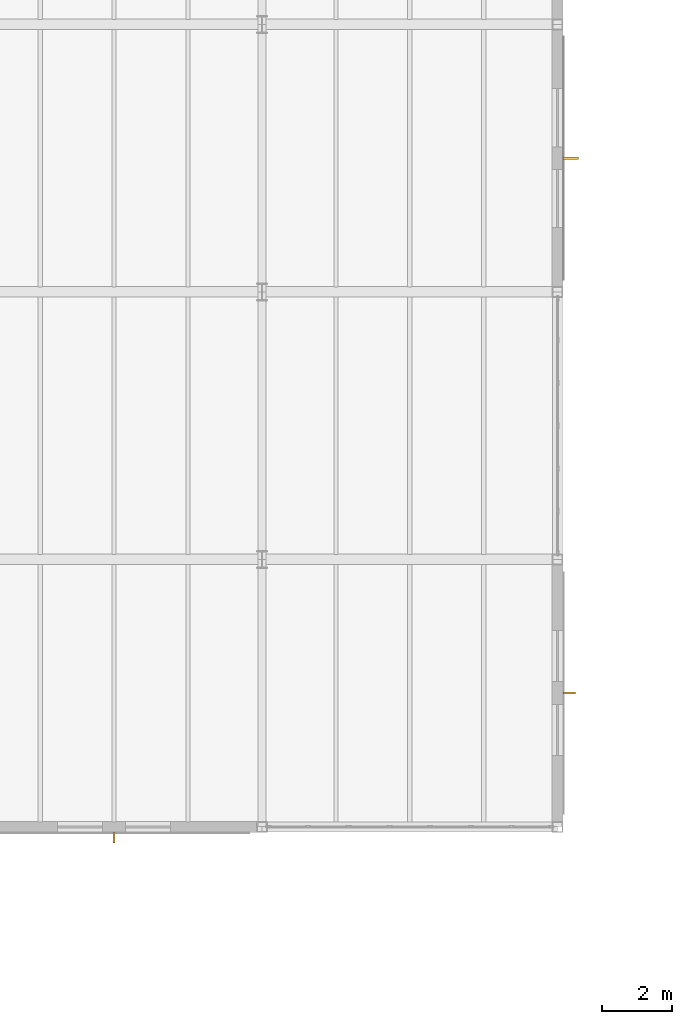
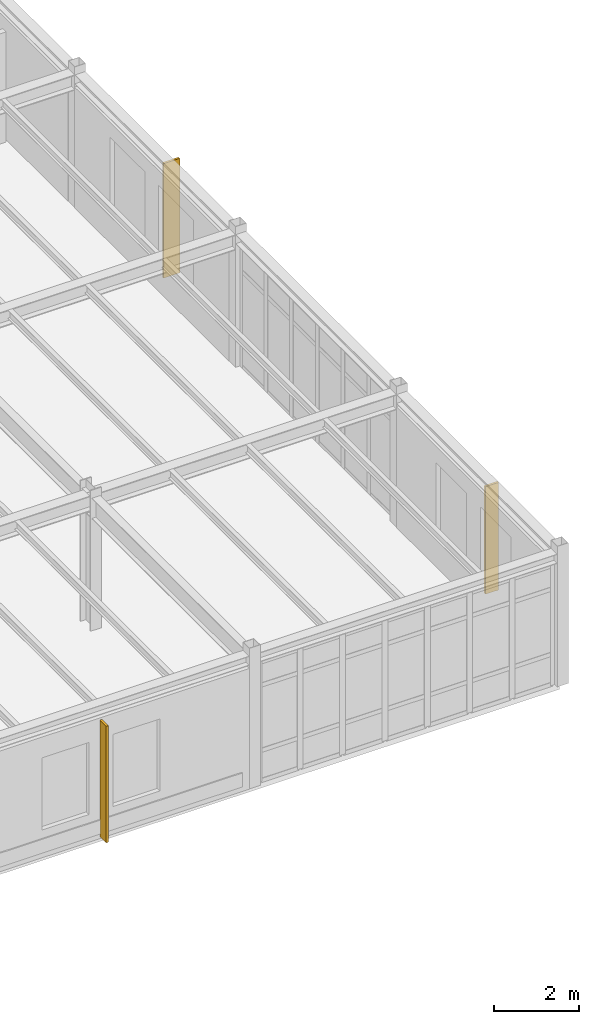
# One storey, part 160 of 165: 3 shading devices.
"""IFC4 building model written with IfcOpenShell, lengths in metres."""

from ifc_helpers import new_model, si_unit, direction, frame, origin, origin_2d, place, context, subcontext, project, spatial, rectangle, extrude, material, type_object, element, save


model = new_model("IFC4")

# Units and contexts
model_context = context("Model", 3, precision=1e-05, world=origin(), true_north=direction((0.0, 1.0)))
body_context = subcontext(model_context, "Body", "Model", "MODEL_VIEW")
ifc_project = project(units=[si_unit("LENGTHUNIT", "METRE"), si_unit("AREAUNIT", "SQUARE_METRE"), si_unit("VOLUMEUNIT", "CUBIC_METRE"), si_unit("PLANEANGLEUNIT", "RADIAN"), si_unit("MASSUNIT", "GRAM", prefix="KILO")], contexts=[model_context])

# Site, building, storey
site_placement = place(None, origin())
site = spatial("IfcSite", under=ifc_project, at=site_placement, CompositionType="ELEMENT")
building_placement = place(site_placement, origin())
building = spatial("IfcBuilding", under=site, at=building_placement, Name="Montecoro Central Library", CompositionType="ELEMENT")
storey_placement = place(building_placement, frame((0.0, 0.0, 5.10009765625)))
storey = spatial("IfcBuildingStorey", under=building, at=storey_placement, Name="L01", CompositionType="ELEMENT", Elevation=5.10009765625)

# Shading devices
ifc_material = material(Name="Architectural bronze solar fin", Category="aluminium")
shading_device_type_1 = type_object("IfcShadingDeviceType", Name="SHD-FIN-03", PredefinedType="USERDEFINED", material=ifc_material)
shading_device_1_placement = place(storey_placement, frame((117.133056640625, 84.800048828125, 0.18994140625), z_axis=(0.0, 0.0, 1.0), x_axis=(0.0, 1.0, 0.0)))
element("IfcShadingDevice", 1, at=shading_device_1_placement, inside=storey, type_object=shading_device_type_1, Name="V2-L01-FIN-E0", ObjectType="SOLAR FIN", PredefinedType="USERDEFINED", context=body_context, shape_type="SweptSolid", body=[
    extrude(rectangle(XDim=0.06005859375, YDim=0.360107421875, at=origin_2d()), origin(), (0.0, 0.0, 1.0), 3.10009765625),
])
shading_device_type_2 = type_object("IfcShadingDeviceType", Name="SHD-FIN-05", PredefinedType="USERDEFINED", material=ifc_material)
shading_device_2_placement = place(storey_placement, frame((117.173095703125, 100.0, 0.08984375), z_axis=(0.0, 0.0, 1.0), x_axis=(0.0, 1.0, 0.0)))
element("IfcShadingDevice", 2, at=shading_device_2_placement, inside=storey, type_object=shading_device_type_2, Name="V2-L01-FIN-E2", ObjectType="SOLAR FIN", PredefinedType="USERDEFINED", context=body_context, shape_type="SweptSolid", body=[
    extrude(rectangle(XDim=0.06005859375, YDim=0.43994140625, at=origin_2d()), origin(), (0.0, 0.0, 1.0), 3.300048828125),
])
shading_device_type_3 = type_object("IfcShadingDeviceType", Name="SHD-FIN-07", PredefinedType="USERDEFINED", material=ifc_material)
shading_device_3_placement = place(storey_placement, frame((104.199951171875, 80.697021484375, 0.06005859375), z_axis=(0.0, 0.0, 1.0), x_axis=(1.0, 0.0, 0.0)))
element("IfcShadingDevice", 3, at=shading_device_3_placement, inside=storey, type_object=shading_device_type_3, Name="V2-L01-FIN-S4", ObjectType="SOLAR FIN", PredefinedType="USERDEFINED", context=body_context, shape_type="SweptSolid", body=[
    extrude(rectangle(XDim=0.06005859375, YDim=0.300048828125, at=origin_2d()), origin(), (0.0, 0.0, 1.0), 3.360107421875),
])

save(model, "model.ifc")
